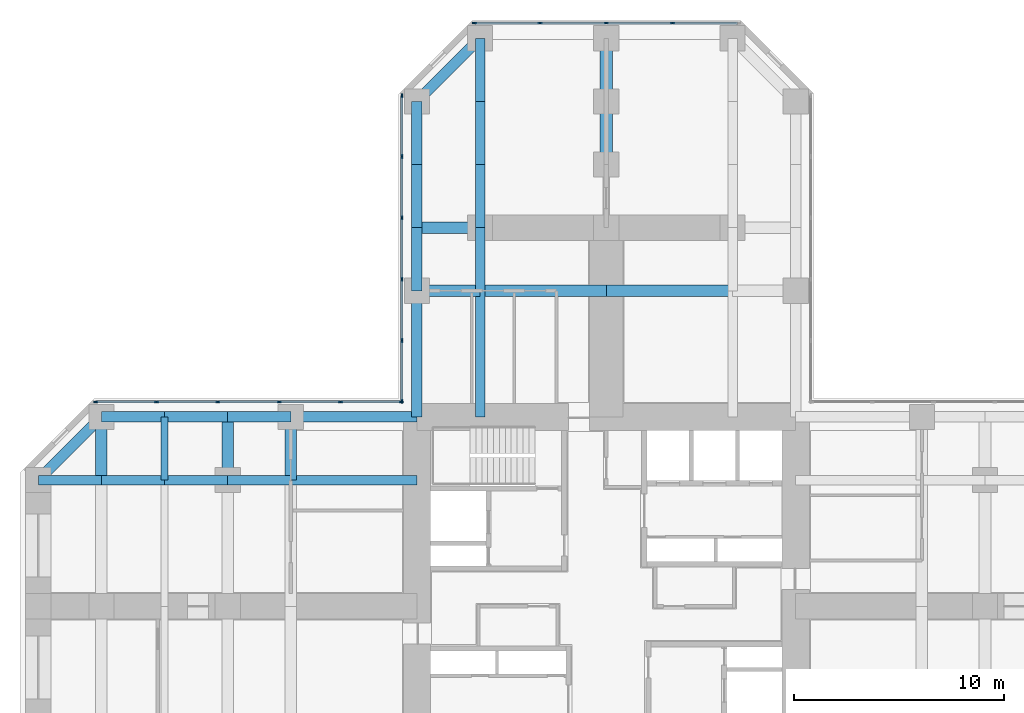
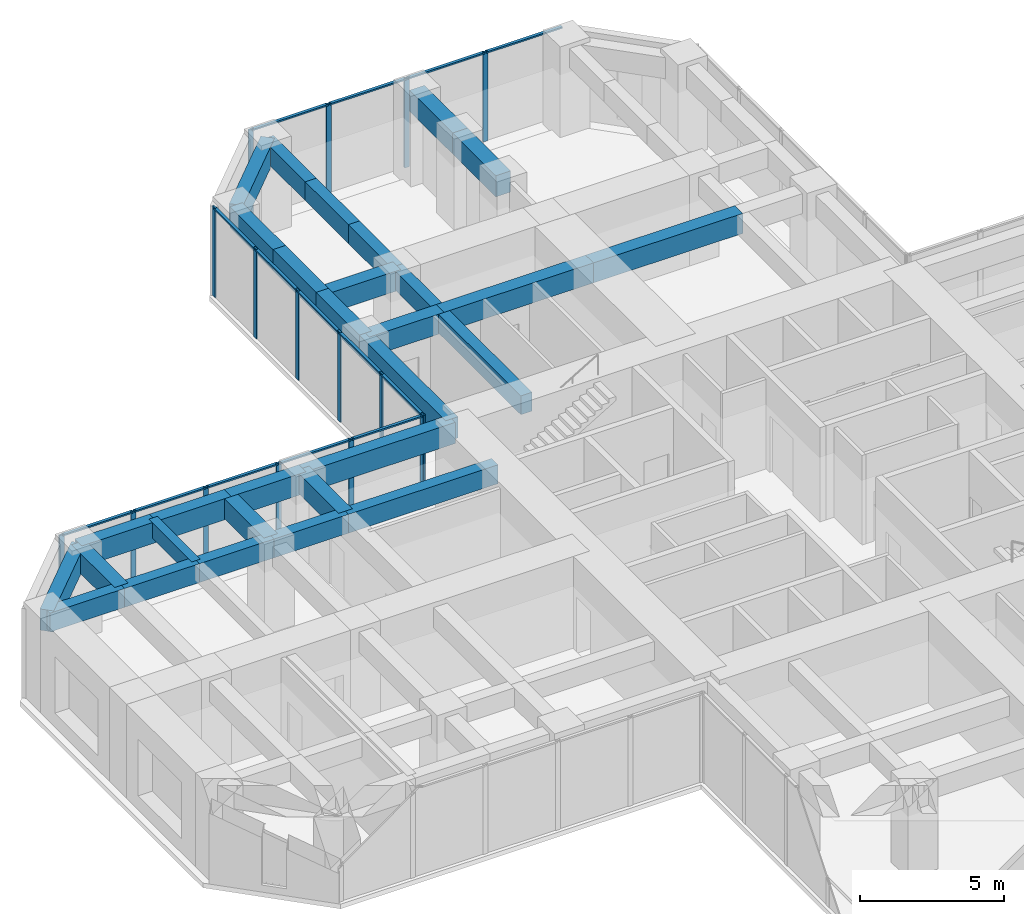
# One storey, part 5 of 12: 30 beams, 30 members, 3 elements without a shape of their own.
"""IFC4 building model written with IfcOpenShell, lengths in metres."""

from ifc_helpers import new_model, si_unit, direction, frame, origin, origin_2d, place, context, subcontext, project, spatial, rectangle, extrude, material, material_profile, profile_set, type_object, element, aggregate, save


model = new_model("IFC4")

# Units and contexts
model_context = context("Model", 3, precision=1e-05, world=origin(), true_north=direction((0.0, 1.0)))
body_context = subcontext(model_context, "Body", "Model", "MODEL_VIEW")
ifc_project = project(units=[si_unit("LENGTHUNIT", "METRE"), si_unit("AREAUNIT", "SQUARE_METRE"), si_unit("VOLUMEUNIT", "CUBIC_METRE"), si_unit("PLANEANGLEUNIT", "RADIAN"), si_unit("MASSUNIT", "GRAM", prefix="KILO")], contexts=[model_context])

# Site, building, storey
site_placement = place(None, origin())
site = spatial("IfcSite", under=ifc_project, at=site_placement, CompositionType="ELEMENT")
building_placement = place(site_placement, origin())
building = spatial("IfcBuilding", under=site, at=building_placement, Name="Torre Cruceta", CompositionType="ELEMENT")
storey_placement = place(building_placement, frame((0.0, 0.0, 59.5)))
storey = spatial("IfcBuildingStorey", under=building, at=storey_placement, Name="L14", CompositionType="ELEMENT", Elevation=59.5)

# Beams
ifc_material_1 = material(Name="Concrete G60 (fck 60 MPa)", Category="concrete")
ifc_material_profile_1 = material_profile(ifc_material_1, rectangle(XDim=0.60009765625, YDim=0.89990234375, at=origin_2d()), Name="RC 600X900")
ifc_profile_set_1 = profile_set([ifc_material_profile_1], Name="Concrete G60 (fck 60 MPa)")
beam_type_1 = type_object("IfcBeamType", Name="ARM CENTRE BEAM RC 600X900", PredefinedType="BEAM", material=ifc_profile_set_1)
for number, where, z_axis, x_axis, name in (
    (1, (0.0, 21.0, 3.35009765625), (0.0, 1.0, 0.0), (-1.0, 0.0, 0.0), "MB3 L14 N centre 1"),
    (2, (0.0, 24.0, 3.35009765625), (0.0, 1.0, 0.0), (-1.0, 0.0, 0.0), "MB3 L14 N centre 2"),
):
    element("IfcBeam", number, at=place(storey_placement, frame(where, z_axis=z_axis, x_axis=x_axis)), inside=storey, type_object=beam_type_1, Name=name, PredefinedType="BEAM", context=body_context, shape_type="SweptSolid", body=[
        extrude(rectangle(XDim=0.60009765625, YDim=0.89990234375, at=origin_2d()), origin(), (0.0, 0.0, 1.0), 3.0),
    ])
ifc_material_2 = material(Name="Concrete G60 (fck 60 MPa)", Category="concrete")
ifc_material_profile_2 = material_profile(ifc_material_2, rectangle(XDim=0.449951171875, YDim=0.800048828125, at=origin_2d()), Name="RC 450X800")
ifc_profile_set_2 = profile_set([ifc_material_profile_2], Name="Concrete G60 (fck 60 MPa)")
beam_type_2 = type_object("IfcBeamType", Name="COLUMN LINE BEAM RC 450X800", PredefinedType="BEAM", material=ifc_profile_set_2)
beam_1_placement = place(storey_placement, frame((-6.0, 9.0, 3.39990234375), z_axis=(0.0, 1.0, 0.0), x_axis=(-1.0, 0.0, 0.0)))
element("IfcBeam", 3, at=beam_1_placement, inside=storey, type_object=beam_type_2, Name="LB1 L14 N col+ 1", PredefinedType="BEAM", context=body_context, shape_type="SweptSolid", body=[
    extrude(rectangle(XDim=0.449951171875, YDim=0.800048828125, at=origin_2d()), origin(), (0.0, 0.0, 1.0), 6.0),
])
for number, where, z_axis, x_axis, name in (
    (4, (-6.0, 15.0, 3.39990234375), (0.0, 1.0, 0.0), (-1.0, 0.0, 0.0), "LB1 L14 N col+ 2"),
    (5, (-6.0, 18.0, 3.39990234375), (0.0, 1.0, 0.0), (-1.0, 0.0, 0.0), "LB1 L14 N col+ 3"),
    (6, (-6.0, 21.0, 3.39990234375), (0.0, 1.0, 0.0), (-1.0, 0.0, 0.0), "LB1 L14 N col+ 4"),
    (7, (-6.0, 24.0, 3.39990234375), (0.0, 1.0, 0.0), (-1.0, 0.0, 0.0), "LB1 L14 N col+ 5"),
):
    element("IfcBeam", number, at=place(storey_placement, frame(where, z_axis=z_axis, x_axis=x_axis)), inside=storey, type_object=beam_type_2, Name=name, PredefinedType="BEAM", context=body_context, shape_type="SweptSolid", body=[
        extrude(rectangle(XDim=0.449951171875, YDim=0.800048828125, at=origin_2d()), origin(), (0.0, 0.0, 1.0), 3.0),
    ])
beam_2_placement = place(storey_placement, frame((-9.0, 6.0, 3.39990234375), z_axis=(-1.0, 0.0, 0.0), x_axis=(0.0, -1.0, 0.0)))
element("IfcBeam", 8, at=beam_2_placement, inside=storey, type_object=beam_type_2, Name="LB1 L14 W col- 1", PredefinedType="BEAM", context=body_context, shape_type="SweptSolid", body=[
    extrude(rectangle(XDim=0.449951171875, YDim=0.800048828125, at=origin_2d()), origin(), (0.0, 0.0, 1.0), 6.0),
])
for number, where, z_axis, x_axis, name in (
    (9, (-15.0, 6.0, 3.39990234375), (-1.0, 0.0, 0.0), (0.0, -1.0, 0.0), "LB1 L14 W col- 2"),
    (10, (-18.0, 6.0, 3.39990234375), (-1.0, 0.0, 0.0), (0.0, -1.0, 0.0), "LB1 L14 W col- 3"),
    (11, (-21.0, 6.0, 3.39990234375), (-1.0, 0.0, 0.0), (0.0, -1.0, 0.0), "LB1 L14 W col- 4"),
    (12, (-24.0, 6.0, 3.39990234375), (-1.0, 0.0, 0.0), (0.0, -1.0, 0.0), "LB1 L14 W col- 5"),
):
    element("IfcBeam", number, at=place(storey_placement, frame(where, z_axis=z_axis, x_axis=x_axis)), inside=storey, type_object=beam_type_2, Name=name, PredefinedType="BEAM", context=body_context, shape_type="SweptSolid", body=[
        extrude(rectangle(XDim=0.449951171875, YDim=0.800048828125, at=origin_2d()), origin(), (0.0, 0.0, 1.0), 3.0),
    ])
ifc_material_3 = material(Name="Concrete G60 (fck 60 MPa)", Category="concrete")
ifc_material_profile_3 = material_profile(ifc_material_3, rectangle(XDim=0.550048828125, YDim=0.85009765625, at=origin_2d()), Name="RC 550X850")
ifc_profile_set_3 = profile_set([ifc_material_profile_3], Name="Concrete G60 (fck 60 MPa)")
beam_type_3 = type_object("IfcBeamType", Name="CROSS BEAM RC 550X850", PredefinedType="BEAM", material=ifc_profile_set_3)
for number, where, z_axis, x_axis, name in (
    (13, (6.0, 15.0, 3.375), (-1.0, 0.0, 0.0), (0.0, -1.0, 0.0), "GB4 L14 N cross15 2"),
    (14, (0.0, 15.0, 3.375), (-1.0, 0.0, 0.0), (0.0, -1.0, 0.0), "GB4 L14 N cross15 3"),
):
    element("IfcBeam", number, at=place(storey_placement, frame(where, z_axis=z_axis, x_axis=x_axis)), inside=storey, type_object=beam_type_3, Name=name, PredefinedType="BEAM", context=body_context, shape_type="SweptSolid", body=[
        extrude(rectangle(XDim=0.550048828125, YDim=0.85009765625, at=origin_2d()), origin(), (0.0, 0.0, 1.0), 6.0),
    ])
for number, where, z_axis, x_axis, name in (
    (15, (-6.0, 15.0, 3.375), (-1.0, 0.0, 0.0), (0.0, -1.0, 0.0), "GB4 L14 N cross15 4"),
    (16, (-6.0, 18.0, 3.375), (-1.0, 0.0, 0.0), (0.0, -1.0, 0.0), "GB4 L14 N cross18b 1"),
    (17, (-15.0, 9.0, 3.375), (0.0, -1.0, 0.0), (1.0, 0.0, 0.0), "GB4 L14 W cross15 1"),
    (18, (-18.0, 9.0, 3.375), (0.0, -1.0, 0.0), (1.0, 0.0, 0.0), "GB4 L14 W cross18 1"),
    (19, (-24.0, 9.0, 3.375), (0.0, -1.0, 0.0), (1.0, 0.0, 0.0), "GB4 L14 W cross24 1"),
):
    element("IfcBeam", number, at=place(storey_placement, frame(where, z_axis=z_axis, x_axis=x_axis)), inside=storey, type_object=beam_type_3, Name=name, PredefinedType="BEAM", context=body_context, shape_type="SweptSolid", body=[
        extrude(rectangle(XDim=0.550048828125, YDim=0.85009765625, at=origin_2d()), origin(), (0.0, 0.0, 1.0), 3.0),
    ])

# Curtain wall, members
ifc_material_4 = material(Name="Aluminium unitised curtain wall", Category="aluminium")
curtain_wall_type = type_object("IfcCurtainWallType", Name="CURTAIN WALL CW-A OFFICE LOW RISE", PredefinedType="USERDEFINED", material=ifc_material_4)
curtain_wall_1_placement = place(storey_placement, origin())
curtain_wall_1 = element("IfcCurtainWall", 20, at=curtain_wall_1_placement, inside=storey, type_object=curtain_wall_type, Name="CW-A L14 N tip 07", ObjectType="UNITISED", PredefinedType="USERDEFINED")
ifc_material_5 = material(Name="Aluminium mullion", Category="aluminium")
ifc_material_profile_4 = material_profile(ifc_material_5, rectangle(XDim=0.06494140625, YDim=0.199951171875, at=origin_2d()), Name="AL 65X200")
ifc_profile_set_4 = profile_set([ifc_material_profile_4], Name="Aluminium mullion")
member_type_1 = type_object("IfcMemberType", Name="CW-A MULLION 65X200", PredefinedType="MULLION", material=ifc_profile_set_4)
member_1_placement = place(storey_placement, frame((3.149169921875, 27.719970703125, 0.0), z_axis=(0.0, 0.0, 1.0), x_axis=(0.0, -1.0, 0.0)))
member_1 = element("IfcMember", 21, at=member_1_placement, type_object=member_type_1, Name="CW-A mullion 2", PredefinedType="MULLION", context=body_context, shape_type="SweptSolid", body=[
    extrude(rectangle(XDim=0.06494140625, YDim=0.199951171875, at=origin_2d()), origin(), (0.0, 0.0, 1.0), 3.800048828125),
])
member_2_placement = place(storey_placement, frame((0.0, 27.719970703125, 0.0), z_axis=(0.0, 0.0, 1.0), x_axis=(0.0, -1.0, 0.0)))
member_2 = element("IfcMember", 22, at=member_2_placement, type_object=member_type_1, Name="CW-A mullion 3", PredefinedType="MULLION", context=body_context, shape_type="SweptSolid", body=[
    extrude(rectangle(XDim=0.06494140625, YDim=0.199951171875, at=origin_2d()), origin(), (0.0, 0.0, 1.0), 3.800048828125),
])
member_3_placement = place(storey_placement, frame((-3.149169921875, 27.719970703125, 0.0), z_axis=(0.0, 0.0, 1.0), x_axis=(0.0, -1.0, 0.0)))
member_3 = element("IfcMember", 23, at=member_3_placement, type_object=member_type_1, Name="CW-A mullion 4", PredefinedType="MULLION", context=body_context, shape_type="SweptSolid", body=[
    extrude(rectangle(XDim=0.06494140625, YDim=0.199951171875, at=origin_2d()), origin(), (0.0, 0.0, 1.0), 3.800048828125),
])
member_4_placement = place(storey_placement, frame((-6.265625, 27.719970703125, 0.0), z_axis=(0.0, 0.0, 1.0), x_axis=(0.0, -1.0, 0.0)))
member_4 = element("IfcMember", 24, at=member_4_placement, type_object=member_type_1, Name="CW-A mullion 5", PredefinedType="MULLION", context=body_context, shape_type="SweptSolid", body=[
    extrude(rectangle(XDim=0.06494140625, YDim=0.199951171875, at=origin_2d()), origin(), (0.0, 0.0, 1.0), 3.800048828125),
])

curtain_wall_2_placement = place(storey_placement, origin())
curtain_wall_2 = element("IfcCurtainWall", 25, at=curtain_wall_2_placement, inside=storey, type_object=curtain_wall_type, Name="CW-A L14 N side 09", ObjectType="UNITISED", PredefinedType="USERDEFINED")
member_5_placement = place(storey_placement, frame((-9.719970703125, 24.265625, 0.0), z_axis=(0.0, 0.0, 1.0), x_axis=(1.0, 0.0, 0.0)))
member_5 = element("IfcMember", 26, at=member_5_placement, type_object=member_type_1, Name="CW-A mullion 1", PredefinedType="MULLION", context=body_context, shape_type="SweptSolid", body=[
    extrude(rectangle(XDim=0.06494140625, YDim=0.199951171875, at=origin_2d()), origin(), (0.0, 0.0, 1.0), 3.800048828125),
])
member_6_placement = place(storey_placement, frame((-9.719970703125, 21.382568359375, 0.0), z_axis=(0.0, 0.0, 1.0), x_axis=(1.0, 0.0, 0.0)))
member_6 = element("IfcMember", 27, at=member_6_placement, type_object=member_type_1, Name="CW-A mullion 2", PredefinedType="MULLION", context=body_context, shape_type="SweptSolid", body=[
    extrude(rectangle(XDim=0.06494140625, YDim=0.199951171875, at=origin_2d()), origin(), (0.0, 0.0, 1.0), 3.800048828125),
])
member_7_placement = place(storey_placement, frame((-9.719970703125, 18.467041015625, 0.0), z_axis=(0.0, 0.0, 1.0), x_axis=(1.0, 0.0, 0.0)))
member_7 = element("IfcMember", 28, at=member_7_placement, type_object=member_type_1, Name="CW-A mullion 3", PredefinedType="MULLION", context=body_context, shape_type="SweptSolid", body=[
    extrude(rectangle(XDim=0.06494140625, YDim=0.199951171875, at=origin_2d()), origin(), (0.0, 0.0, 1.0), 3.800048828125),
])
member_8_placement = place(storey_placement, frame((-9.719970703125, 15.55126953125, 0.0), z_axis=(0.0, 0.0, 1.0), x_axis=(1.0, 0.0, 0.0)))
member_8 = element("IfcMember", 29, at=member_8_placement, type_object=member_type_1, Name="CW-A mullion 4", PredefinedType="MULLION", context=body_context, shape_type="SweptSolid", body=[
    extrude(rectangle(XDim=0.06494140625, YDim=0.199951171875, at=origin_2d()), origin(), (0.0, 0.0, 1.0), 3.800048828125),
])
member_9_placement = place(storey_placement, frame((-9.719970703125, 12.6357421875, 0.0), z_axis=(0.0, 0.0, 1.0), x_axis=(1.0, 0.0, 0.0)))
member_9 = element("IfcMember", 30, at=member_9_placement, type_object=member_type_1, Name="CW-A mullion 5", PredefinedType="MULLION", context=body_context, shape_type="SweptSolid", body=[
    extrude(rectangle(XDim=0.06494140625, YDim=0.199951171875, at=origin_2d()), origin(), (0.0, 0.0, 1.0), 3.800048828125),
])
member_10_placement = place(storey_placement, frame((-9.719970703125, 9.75244140625, 0.0), z_axis=(0.0, 0.0, 1.0), x_axis=(1.0, 0.0, 0.0)))
member_10 = element("IfcMember", 31, at=member_10_placement, type_object=member_type_1, Name="CW-A mullion 6", PredefinedType="MULLION", context=body_context, shape_type="SweptSolid", body=[
    extrude(rectangle(XDim=0.06494140625, YDim=0.199951171875, at=origin_2d()), origin(), (0.0, 0.0, 1.0), 3.800048828125),
])

curtain_wall_3_placement = place(storey_placement, origin())
curtain_wall_3 = element("IfcCurtainWall", 32, at=curtain_wall_3_placement, inside=storey, type_object=curtain_wall_type, Name="CW-A L14 W side 10", ObjectType="UNITISED", PredefinedType="USERDEFINED")
member_11_placement = place(storey_placement, frame((-9.75244140625, 9.719970703125, 0.0), z_axis=(0.0, 0.0, 1.0), x_axis=(0.0, -1.0, 0.0)))
member_11 = element("IfcMember", 33, at=member_11_placement, type_object=member_type_1, Name="CW-A mullion 1", PredefinedType="MULLION", context=body_context, shape_type="SweptSolid", body=[
    extrude(rectangle(XDim=0.06494140625, YDim=0.199951171875, at=origin_2d()), origin(), (0.0, 0.0, 1.0), 3.800048828125),
])
member_12_placement = place(storey_placement, frame((-12.6357421875, 9.719970703125, 0.0), z_axis=(0.0, 0.0, 1.0), x_axis=(0.0, -1.0, 0.0)))
member_12 = element("IfcMember", 34, at=member_12_placement, type_object=member_type_1, Name="CW-A mullion 2", PredefinedType="MULLION", context=body_context, shape_type="SweptSolid", body=[
    extrude(rectangle(XDim=0.06494140625, YDim=0.199951171875, at=origin_2d()), origin(), (0.0, 0.0, 1.0), 3.800048828125),
])
member_13_placement = place(storey_placement, frame((-15.55126953125, 9.719970703125, 0.0), z_axis=(0.0, 0.0, 1.0), x_axis=(0.0, -1.0, 0.0)))
member_13 = element("IfcMember", 35, at=member_13_placement, type_object=member_type_1, Name="CW-A mullion 3", PredefinedType="MULLION", context=body_context, shape_type="SweptSolid", body=[
    extrude(rectangle(XDim=0.06494140625, YDim=0.199951171875, at=origin_2d()), origin(), (0.0, 0.0, 1.0), 3.800048828125),
])
member_14_placement = place(storey_placement, frame((-18.467041015625, 9.719970703125, 0.0), z_axis=(0.0, 0.0, 1.0), x_axis=(0.0, -1.0, 0.0)))
member_14 = element("IfcMember", 36, at=member_14_placement, type_object=member_type_1, Name="CW-A mullion 4", PredefinedType="MULLION", context=body_context, shape_type="SweptSolid", body=[
    extrude(rectangle(XDim=0.06494140625, YDim=0.199951171875, at=origin_2d()), origin(), (0.0, 0.0, 1.0), 3.800048828125),
])
member_15_placement = place(storey_placement, frame((-21.382568359375, 9.719970703125, 0.0), z_axis=(0.0, 0.0, 1.0), x_axis=(0.0, -1.0, 0.0)))
member_15 = element("IfcMember", 37, at=member_15_placement, type_object=member_type_1, Name="CW-A mullion 5", PredefinedType="MULLION", context=body_context, shape_type="SweptSolid", body=[
    extrude(rectangle(XDim=0.06494140625, YDim=0.199951171875, at=origin_2d()), origin(), (0.0, 0.0, 1.0), 3.800048828125),
])
member_16_placement = place(storey_placement, frame((-24.265625, 9.719970703125, 0.0), z_axis=(0.0, 0.0, 1.0), x_axis=(0.0, -1.0, 0.0)))
member_16 = element("IfcMember", 38, at=member_16_placement, type_object=member_type_1, Name="CW-A mullion 6", PredefinedType="MULLION", context=body_context, shape_type="SweptSolid", body=[
    extrude(rectangle(XDim=0.06494140625, YDim=0.199951171875, at=origin_2d()), origin(), (0.0, 0.0, 1.0), 3.800048828125),
])

# Member
ifc_material_6 = material(Name="Aluminium transom", Category="aluminium")
ifc_material_profile_5 = material_profile(ifc_material_6, rectangle(XDim=0.1201171875, YDim=0.06494140625, at=origin_2d()), Name="AL 120X65")
ifc_profile_set_5 = profile_set([ifc_material_profile_5], Name="Aluminium transom")
member_type_2 = type_object("IfcMemberType", Name="CW-A TRANSOM 65X120", PredefinedType="USERDEFINED", material=ifc_profile_set_5)
member_17_placement = place(storey_placement, frame((6.233154296875, 27.719970703125, 3.767578125), z_axis=(-1.0, 0.0, 0.0), x_axis=(0.0, -1.0, 0.0)))
member_17 = element("IfcMember", 39, at=member_17_placement, type_object=member_type_2, Name="CW-A transom 1", ObjectType="TRANSOM", PredefinedType="USERDEFINED", context=body_context, shape_type="SweptSolid", body=[
    extrude(rectangle(XDim=0.1201171875, YDim=0.06494140625, at=origin_2d()), origin(), (0.0, 0.0, 1.0), 3.051513671875),
])

member_18_placement = place(storey_placement, frame((3.11669921875, 27.719970703125, 3.767578125), z_axis=(-1.0, 0.0, 0.0), x_axis=(0.0, -1.0, 0.0)))
member_18 = element("IfcMember", 40, at=member_18_placement, type_object=member_type_2, Name="CW-A transom 2", ObjectType="TRANSOM", PredefinedType="USERDEFINED", context=body_context, shape_type="SweptSolid", body=[
    extrude(rectangle(XDim=0.1201171875, YDim=0.06494140625, at=origin_2d()), origin(), (0.0, 0.0, 1.0), 3.084228515625),
])

member_19_placement = place(storey_placement, frame((-0.032470703125, 27.719970703125, 3.767578125), z_axis=(-1.0, 0.0, 0.0), x_axis=(0.0, -1.0, 0.0)))
member_19 = element("IfcMember", 41, at=member_19_placement, type_object=member_type_2, Name="CW-A transom 3", ObjectType="TRANSOM", PredefinedType="USERDEFINED", context=body_context, shape_type="SweptSolid", body=[
    extrude(rectangle(XDim=0.1201171875, YDim=0.06494140625, at=origin_2d()), origin(), (0.0, 0.0, 1.0), 3.084228515625),
])

member_20_placement = place(storey_placement, frame((-3.181640625, 27.719970703125, 3.767578125), z_axis=(-1.0, 0.0, 0.0), x_axis=(0.0, -1.0, 0.0)))
member_20 = element("IfcMember", 42, at=member_20_placement, type_object=member_type_2, Name="CW-A transom 4", ObjectType="TRANSOM", PredefinedType="USERDEFINED", context=body_context, shape_type="SweptSolid", body=[
    extrude(rectangle(XDim=0.1201171875, YDim=0.06494140625, at=origin_2d()), origin(), (0.0, 0.0, 1.0), 3.051513671875),
])

aggregate(curtain_wall_1, [member_1, member_2, member_3, member_4, member_17, member_18, member_19, member_20])

member_21_placement = place(storey_placement, frame((-9.719970703125, 24.233154296875, 3.767578125), z_axis=(0.0, -1.0, 0.0), x_axis=(1.0, 0.0, 0.0)))
member_21 = element("IfcMember", 43, at=member_21_placement, type_object=member_type_2, Name="CW-A transom 1", ObjectType="TRANSOM", PredefinedType="USERDEFINED", context=body_context, shape_type="SweptSolid", body=[
    extrude(rectangle(XDim=0.1201171875, YDim=0.06494140625, at=origin_2d()), origin(), (0.0, 0.0, 1.0), 2.818115234375),
])

member_22_placement = place(storey_placement, frame((-9.719970703125, 21.35009765625, 3.767578125), z_axis=(0.0, -1.0, 0.0), x_axis=(1.0, 0.0, 0.0)))
member_22 = element("IfcMember", 44, at=member_22_placement, type_object=member_type_2, Name="CW-A transom 2", ObjectType="TRANSOM", PredefinedType="USERDEFINED", context=body_context, shape_type="SweptSolid", body=[
    extrude(rectangle(XDim=0.1201171875, YDim=0.06494140625, at=origin_2d()), origin(), (0.0, 0.0, 1.0), 2.8505859375),
])

member_23_placement = place(storey_placement, frame((-9.719970703125, 18.434326171875, 3.767578125), z_axis=(0.0, -1.0, 0.0), x_axis=(1.0, 0.0, 0.0)))
member_23 = element("IfcMember", 45, at=member_23_placement, type_object=member_type_2, Name="CW-A transom 3", ObjectType="TRANSOM", PredefinedType="USERDEFINED", context=body_context, shape_type="SweptSolid", body=[
    extrude(rectangle(XDim=0.1201171875, YDim=0.06494140625, at=origin_2d()), origin(), (0.0, 0.0, 1.0), 2.8505859375),
])

member_24_placement = place(storey_placement, frame((-9.719970703125, 15.518798828125, 3.767578125), z_axis=(0.0, -1.0, 0.0), x_axis=(1.0, 0.0, 0.0)))
member_24 = element("IfcMember", 46, at=member_24_placement, type_object=member_type_2, Name="CW-A transom 4", ObjectType="TRANSOM", PredefinedType="USERDEFINED", context=body_context, shape_type="SweptSolid", body=[
    extrude(rectangle(XDim=0.1201171875, YDim=0.06494140625, at=origin_2d()), origin(), (0.0, 0.0, 1.0), 2.8505859375),
])

member_25_placement = place(storey_placement, frame((-9.719970703125, 12.60302734375, 3.767578125), z_axis=(0.0, -1.0, 0.0), x_axis=(1.0, 0.0, 0.0)))
member_25 = element("IfcMember", 47, at=member_25_placement, type_object=member_type_2, Name="CW-A transom 5", ObjectType="TRANSOM", PredefinedType="USERDEFINED", context=body_context, shape_type="SweptSolid", body=[
    extrude(rectangle(XDim=0.1201171875, YDim=0.06494140625, at=origin_2d()), origin(), (0.0, 0.0, 1.0), 2.818115234375),
])

aggregate(curtain_wall_2, [member_5, member_6, member_7, member_8, member_9, member_10, member_21, member_22, member_23, member_24, member_25])

member_26_placement = place(storey_placement, frame((-9.784912109375, 9.719970703125, 3.767578125), z_axis=(-1.0, 0.0, 0.0), x_axis=(0.0, -1.0, 0.0)))
member_26 = element("IfcMember", 48, at=member_26_placement, type_object=member_type_2, Name="CW-A transom 1", ObjectType="TRANSOM", PredefinedType="USERDEFINED", context=body_context, shape_type="SweptSolid", body=[
    extrude(rectangle(XDim=0.1201171875, YDim=0.06494140625, at=origin_2d()), origin(), (0.0, 0.0, 1.0), 2.818115234375),
])

member_27_placement = place(storey_placement, frame((-12.668212890625, 9.719970703125, 3.767578125), z_axis=(-1.0, 0.0, 0.0), x_axis=(0.0, -1.0, 0.0)))
member_27 = element("IfcMember", 49, at=member_27_placement, type_object=member_type_2, Name="CW-A transom 2", ObjectType="TRANSOM", PredefinedType="USERDEFINED", context=body_context, shape_type="SweptSolid", body=[
    extrude(rectangle(XDim=0.1201171875, YDim=0.06494140625, at=origin_2d()), origin(), (0.0, 0.0, 1.0), 2.8505859375),
])

member_28_placement = place(storey_placement, frame((-15.583740234375, 9.719970703125, 3.767578125), z_axis=(-1.0, 0.0, 0.0), x_axis=(0.0, -1.0, 0.0)))
member_28 = element("IfcMember", 50, at=member_28_placement, type_object=member_type_2, Name="CW-A transom 3", ObjectType="TRANSOM", PredefinedType="USERDEFINED", context=body_context, shape_type="SweptSolid", body=[
    extrude(rectangle(XDim=0.1201171875, YDim=0.06494140625, at=origin_2d()), origin(), (0.0, 0.0, 1.0), 2.8505859375),
])

member_29_placement = place(storey_placement, frame((-18.49951171875, 9.719970703125, 3.767578125), z_axis=(-1.0, 0.0, 0.0), x_axis=(0.0, -1.0, 0.0)))
member_29 = element("IfcMember", 51, at=member_29_placement, type_object=member_type_2, Name="CW-A transom 4", ObjectType="TRANSOM", PredefinedType="USERDEFINED", context=body_context, shape_type="SweptSolid", body=[
    extrude(rectangle(XDim=0.1201171875, YDim=0.06494140625, at=origin_2d()), origin(), (0.0, 0.0, 1.0), 2.8505859375),
])

member_30_placement = place(storey_placement, frame((-21.4150390625, 9.719970703125, 3.767578125), z_axis=(-1.0, 0.0, 0.0), x_axis=(0.0, -1.0, 0.0)))
member_30 = element("IfcMember", 52, at=member_30_placement, type_object=member_type_2, Name="CW-A transom 5", ObjectType="TRANSOM", PredefinedType="USERDEFINED", context=body_context, shape_type="SweptSolid", body=[
    extrude(rectangle(XDim=0.1201171875, YDim=0.06494140625, at=origin_2d()), origin(), (0.0, 0.0, 1.0), 2.818115234375),
])

aggregate(curtain_wall_3, [member_11, member_12, member_13, member_14, member_15, member_16, member_26, member_27, member_28, member_29, member_30])

# Beams
ifc_material_7 = material(Name="Concrete G60 (fck 60 MPa)", Category="concrete")
ifc_material_profile_6 = material_profile(ifc_material_7, rectangle(XDim=0.35009765625, YDim=0.64990234375, at=origin_2d()), Name="RC 350X650")
ifc_profile_set_6 = profile_set([ifc_material_profile_6], Name="Concrete G60 (fck 60 MPa)")
beam_type_4 = type_object("IfcBeamType", Name="SECONDARY BEAM RC 350X650", PredefinedType="JOIST", material=ifc_profile_set_6)
beam_3_placement = place(storey_placement, frame((-21.0, 9.0, 3.47509765625), z_axis=(0.0, -1.0, 0.0), x_axis=(1.0, 0.0, 0.0)))
element("IfcBeam", 53, at=beam_3_placement, inside=storey, type_object=beam_type_4, Name="JB3 L14 W sec21 1", PredefinedType="JOIST", context=body_context, shape_type="SweptSolid", body=[
    extrude(rectangle(XDim=0.35009765625, YDim=0.64990234375, at=origin_2d()), origin(), (0.0, 0.0, 1.0), 3.0),
])
ifc_material_8 = material(Name="Concrete G60 (fck 60 MPa)", Category="concrete")
ifc_material_profile_7 = material_profile(ifc_material_8, rectangle(XDim=0.5, YDim=0.89990234375, at=origin_2d()), Name="RC 500X900")
ifc_profile_set_7 = profile_set([ifc_material_profile_7], Name="Concrete G60 (fck 60 MPa)")
beam_type_5 = type_object("IfcBeamType", Name="SPANDREL BEAM RC 500X900", PredefinedType="SPANDREL", material=ifc_profile_set_7)
beam_4_placement = place(storey_placement, frame((-9.0, 9.0, 3.35009765625), z_axis=(0.0, 1.0, 0.0), x_axis=(-1.0, 0.0, 0.0)))
element("IfcBeam", 54, at=beam_4_placement, inside=storey, type_object=beam_type_5, Name="SB4 L14 N side+ 1", PredefinedType="SPANDREL", context=body_context, shape_type="SweptSolid", body=[
    extrude(rectangle(XDim=0.5, YDim=0.89990234375, at=origin_2d()), origin(), (0.0, 0.0, 1.0), 6.0),
])
for number, where, z_axis, x_axis, name in (
    (55, (-9.0, 15.0, 3.35009765625), (0.0, 1.0, 0.0), (-1.0, 0.0, 0.0), "SB4 L14 N side+ 2"),
    (56, (-9.0, 18.0, 3.35009765625), (0.0, 1.0, 0.0), (-1.0, 0.0, 0.0), "SB4 L14 N side+ 3"),
    (57, (-9.0, 21.0, 3.35009765625), (0.0, 1.0, 0.0), (-1.0, 0.0, 0.0), "SB4 L14 N side+ 4"),
):
    element("IfcBeam", number, at=place(storey_placement, frame(where, z_axis=z_axis, x_axis=x_axis)), inside=storey, type_object=beam_type_5, Name=name, PredefinedType="SPANDREL", context=body_context, shape_type="SweptSolid", body=[
        extrude(rectangle(XDim=0.5, YDim=0.89990234375, at=origin_2d()), origin(), (0.0, 0.0, 1.0), 3.0),
    ])
beam_5_placement = place(storey_placement, frame((-9.0, 24.0, 3.35009765625), z_axis=(0.707106781187, 0.707106781187, 0.0), x_axis=(-0.707106781187, 0.707106781187, 0.0)))
element("IfcBeam", 58, at=beam_5_placement, inside=storey, type_object=beam_type_5, Name="SB4 L14 N side+ 5", PredefinedType="SPANDREL", context=body_context, shape_type="SweptSolid", body=[
    extrude(rectangle(XDim=0.5, YDim=0.89990234375, at=origin_2d()), origin(), (0.0, 0.0, 1.0), 4.24267578125),
])
beam_6_placement = place(storey_placement, frame((-9.0, 9.0, 3.35009765625), z_axis=(-1.0, 0.0, 0.0), x_axis=(0.0, -1.0, 0.0)))
element("IfcBeam", 59, at=beam_6_placement, inside=storey, type_object=beam_type_5, Name="SB4 L14 W side- 1", PredefinedType="SPANDREL", context=body_context, shape_type="SweptSolid", body=[
    extrude(rectangle(XDim=0.5, YDim=0.89990234375, at=origin_2d()), origin(), (0.0, 0.0, 1.0), 6.0),
])
for number, where, z_axis, x_axis, name in (
    (60, (-15.0, 9.0, 3.35009765625), (-1.0, 0.0, 0.0), (0.0, -1.0, 0.0), "SB4 L14 W side- 2"),
    (61, (-18.0, 9.0, 3.35009765625), (-1.0, 0.0, 0.0), (0.0, -1.0, 0.0), "SB4 L14 W side- 3"),
    (62, (-21.0, 9.0, 3.35009765625), (-1.0, 0.0, 0.0), (0.0, -1.0, 0.0), "SB4 L14 W side- 4"),
):
    element("IfcBeam", number, at=place(storey_placement, frame(where, z_axis=z_axis, x_axis=x_axis)), inside=storey, type_object=beam_type_5, Name=name, PredefinedType="SPANDREL", context=body_context, shape_type="SweptSolid", body=[
        extrude(rectangle(XDim=0.5, YDim=0.89990234375, at=origin_2d()), origin(), (0.0, 0.0, 1.0), 3.0),
    ])
beam_7_placement = place(storey_placement, frame((-24.0, 9.0, 3.35009765625), z_axis=(-0.707106781187, -0.707106781187, 0.0), x_axis=(0.707106781187, -0.707106781187, 0.0)))
element("IfcBeam", 63, at=beam_7_placement, inside=storey, type_object=beam_type_5, Name="SB4 L14 W side- 5", PredefinedType="SPANDREL", context=body_context, shape_type="SweptSolid", body=[
    extrude(rectangle(XDim=0.5, YDim=0.89990234375, at=origin_2d()), origin(), (0.0, 0.0, 1.0), 4.24267578125),
])

save(model, "model.ifc")
